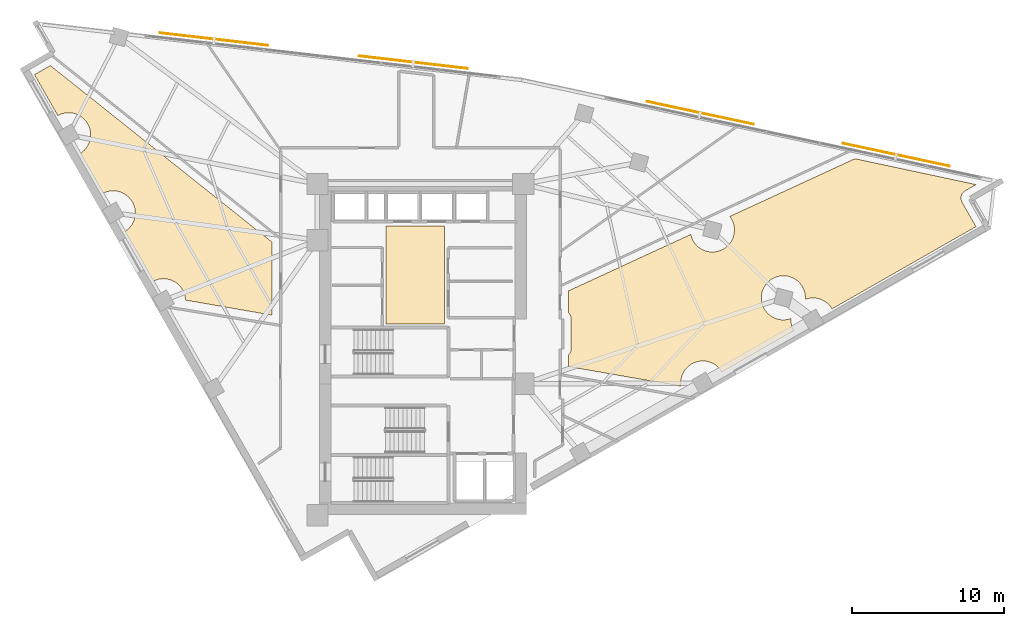
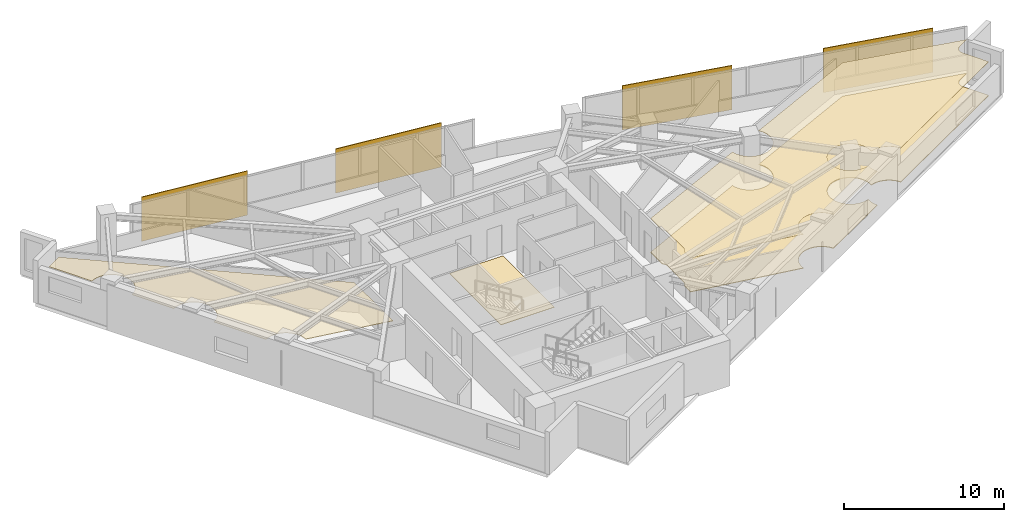
# One storey, part 14 of 14: 4 coverings, 4 shading devices.
"""IFC4 building model written with IfcOpenShell, lengths in metres."""

from ifc_helpers import new_model, si_unit, direction, frame, origin, origin_2d, place, context, subcontext, project, spatial, polyline, rectangle, outline, extrude, material, layer, layer_set, type_object, element, save


model = new_model("IFC4")

# Units and contexts
model_context = context("Model", 3, precision=1e-05, world=origin(), true_north=direction((0.0, 1.0)))
body_context = subcontext(model_context, "Body", "Model", "MODEL_VIEW")
ifc_project = project(units=[si_unit("LENGTHUNIT", "METRE"), si_unit("AREAUNIT", "SQUARE_METRE"), si_unit("VOLUMEUNIT", "CUBIC_METRE"), si_unit("PLANEANGLEUNIT", "RADIAN"), si_unit("MASSUNIT", "GRAM", prefix="KILO")], contexts=[model_context])

# Site, building, storey
site_placement = place(None, origin())
site = spatial("IfcSite", under=ifc_project, at=site_placement, CompositionType="ELEMENT")
building_placement = place(site_placement, origin())
building = spatial("IfcBuilding", under=site, at=building_placement, Name="Narakoshi Arena Tower", CompositionType="ELEMENT")
storey_placement = place(building_placement, frame((0.0, 0.0, 207.93994140625)))
storey = spatial("IfcBuildingStorey", under=building, at=storey_placement, Name="L56", CompositionType="ELEMENT", Elevation=207.93994140625)

# Coverings
ifc_material_1 = material(Name="Acoustic mineral-fibre ceiling tile")
ifc_layer_1 = layer(ifc_material_1, 0.02001953125)
ifc_layer_set_1 = layer_set([ifc_layer_1], Name="Acoustic mineral-fibre ceiling tile")
covering_type_1 = type_object("IfcCoveringType", Name="COV-CLG-AC20", PredefinedType="CEILING", material=ifc_layer_set_1)
covering_1_placement = place(storey_placement, frame((0.0, 0.0, 2.590087890625)))
element("IfcCovering", 1, at=covering_1_placement, inside=storey, type_object=covering_type_1, Name="L56 Suspended Acoustic Ceiling 1", PredefinedType="CEILING", context=body_context, shape_type="SweptSolid", body=[
    extrude(outline(polyline([(88.538818359375, 45.260986328125), (88.5751953125, 45.301025390625), (88.607421875, 45.344482421875), (88.635009765625, 45.390625), (88.658203125, 45.439453125), (88.67626953125, 45.490234375), (88.689453125, 45.542724609375), (88.697509765625, 45.59619140625), (88.699951171875, 45.64990234375), (88.699951171875, 47.6201171875), (88.697509765625, 47.673828125), (88.689453125, 47.727294921875), (88.67626953125, 47.77978515625), (88.658203125, 47.83056640625), (88.635009765625, 47.87939453125), (88.607421875, 47.925537109375), (88.5751953125, 47.968994140625), (88.538818359375, 48.0087890625), (88.5263671875, 48.020263671875), (88.5263671875, 49.468017578125), (96.578125, 53.1826171875), (96.6103515625, 53.05419921875), (96.658203125, 52.92041015625), (96.718994140625, 52.791748046875), (96.792236328125, 52.669677734375), (96.876953125, 52.555419921875), (96.97265625, 52.449951171875), (97.077880859375, 52.354248046875), (97.1923828125, 52.26953125), (97.314453125, 52.1962890625), (97.443115234375, 52.135498046875), (97.576904296875, 52.087646484375), (97.715087890625, 52.052978515625), (97.855712890625, 52.0322265625), (97.997802734375, 52.025146484375), (98.139892578125, 52.0322265625), (98.28076171875, 52.052978515625), (98.418701171875, 52.087646484375), (98.552734375, 52.135498046875), (98.681396484375, 52.1962890625), (98.803466796875, 52.26953125), (98.917724609375, 52.354248046875), (99.023193359375, 52.449951171875), (99.118896484375, 52.555419921875), (99.20361328125, 52.669677734375), (99.276611328125, 52.791748046875), (99.33740234375, 52.92041015625), (99.385498046875, 53.05419921875), (99.419921875, 53.1923828125), (99.44091796875, 53.3330078125), (99.447998046875, 53.47509765625), (99.44091796875, 53.6171875), (99.419921875, 53.758056640625), (99.385498046875, 53.89599609375), (99.33740234375, 54.030029296875), (99.276611328125, 54.15869140625), (99.20361328125, 54.28076171875), (99.14111328125, 54.364990234375), (107.381591796875, 58.16650390625), (115.35791015625, 56.462890625), (114.636962890625, 56.05078125), (114.591552734375, 56.021728515625), (114.549072265625, 55.98828125), (114.510009765625, 55.950927734375), (114.47509765625, 55.909912109375), (114.444091796875, 55.86572265625), (114.417724609375, 55.818603515625), (114.39599609375, 55.769287109375), (114.37939453125, 55.718017578125), (114.36767578125, 55.665283203125), (114.361083984375, 55.61181640625), (114.360107421875, 55.5576171875), (114.3642578125, 55.50390625), (114.373779296875, 55.45068359375), (114.38818359375, 55.398681640625), (114.407958984375, 55.348388671875), (114.432373046875, 55.30029296875), (115.35009765625, 53.694580078125), (105.872314453125, 48.27734375), (105.825439453125, 48.355712890625), (105.74072265625, 48.469970703125), (105.64501953125, 48.5751953125), (105.539794921875, 48.6708984375), (105.42529296875, 48.755615234375), (105.30322265625, 48.828857421875), (105.1748046875, 48.8896484375), (105.040771484375, 48.9375), (104.902587890625, 48.97216796875), (104.761962890625, 48.992919921875), (104.619873046875, 49.0), (104.477783203125, 48.992919921875), (104.3369140625, 48.97216796875), (104.198974609375, 48.9375), (104.11376953125, 48.906982421875), (104.118896484375, 49.009521484375), (104.11181640625, 49.151611328125), (104.0908203125, 49.29248046875), (104.056396484375, 49.430419921875), (104.00830078125, 49.564453125), (103.947509765625, 49.693115234375), (103.87451171875, 49.815185546875), (103.789794921875, 49.929443359375), (103.694091796875, 50.034912109375), (103.588623046875, 50.13037109375), (103.474365234375, 50.215087890625), (103.352294921875, 50.288330078125), (103.2236328125, 50.34912109375), (103.089599609375, 50.397216796875), (102.95166015625, 50.431640625), (102.810791015625, 50.452392578125), (102.668701171875, 50.45947265625), (102.526611328125, 50.452392578125), (102.385986328125, 50.431640625), (102.247802734375, 50.397216796875), (102.114013671875, 50.34912109375), (101.9853515625, 50.288330078125), (101.86328125, 50.215087890625), (101.748779296875, 50.13037109375), (101.6435546875, 50.034912109375), (101.5478515625, 49.929443359375), (101.463134765625, 49.815185546875), (101.389892578125, 49.693115234375), (101.3291015625, 49.564453125), (101.28125, 49.430419921875), (101.24658203125, 49.29248046875), (101.225830078125, 49.151611328125), (101.21875, 49.009521484375), (101.225830078125, 48.867431640625), (101.24658203125, 48.7265625), (101.28125, 48.588623046875), (101.3291015625, 48.45458984375), (101.389892578125, 48.325927734375), (101.463134765625, 48.203857421875), (101.5478515625, 48.089599609375), (101.6435546875, 47.984130859375), (101.748779296875, 47.888671875), (101.86328125, 47.803955078125), (101.9853515625, 47.730712890625), (102.114013671875, 47.669921875), (102.247802734375, 47.621826171875), (102.385986328125, 47.58740234375), (102.526611328125, 47.56640625), (102.668701171875, 47.5595703125), (102.810791015625, 47.56640625), (102.95166015625, 47.58740234375), (103.089599609375, 47.621826171875), (103.1748046875, 47.65234375), (103.169921875, 47.550048828125), (103.1767578125, 47.407958984375), (103.19775390625, 47.26708984375), (103.232177734375, 47.129150390625), (103.2802734375, 46.9951171875), (103.341064453125, 46.866455078125), (103.35693359375, 46.83984375), (98.619384765625, 44.132080078125), (98.572509765625, 44.210205078125), (98.48779296875, 44.324462890625), (98.39208984375, 44.429931640625), (98.286865234375, 44.525390625), (98.172607421875, 44.610107421875), (98.05029296875, 44.683349609375), (97.921875, 44.744140625), (97.787841796875, 44.792236328125), (97.64990234375, 44.82666015625), (97.509033203125, 44.84765625), (97.366943359375, 44.8544921875), (97.224853515625, 44.84765625), (97.083984375, 44.82666015625), (96.946044921875, 44.792236328125), (96.81201171875, 44.744140625), (96.683349609375, 44.683349609375), (96.561279296875, 44.610107421875), (96.447021484375, 44.525390625), (96.341552734375, 44.429931640625), (96.24609375, 44.324462890625), (96.161376953125, 44.210205078125), (96.088134765625, 44.088134765625), (96.02734375, 43.95947265625), (95.979248046875, 43.825439453125), (95.94482421875, 43.6875), (95.923828125, 43.546630859375), (95.9169921875, 43.404541015625), (95.923828125, 43.262451171875), (95.933837890625, 43.195556640625), (88.5263671875, 44.481689453125), (88.5263671875, 45.249755859375), (88.538818359375, 45.260986328125)])), origin(), (0.0, 0.0, 1.0), 0.02001953125),
])
ifc_material_2 = material(Name="Slatted oak acoustic timber baffle", Category="wood")
ifc_layer_2 = layer(ifc_material_2, 0.034912109375)
ifc_layer_set_2 = layer_set([ifc_layer_2], Name="Slatted oak acoustic timber baffle")
covering_type_2 = type_object("IfcCoveringType", Name="COV-CLG-WD35", PredefinedType="CEILING", material=ifc_layer_set_2)
covering_2_placement = place(storey_placement, frame((0.0, 0.0, 2.574951171875)))
element("IfcCovering", 2, at=covering_2_placement, inside=storey, type_object=covering_type_2, Name="L56 Suspended Acoustic Ceiling 2", PredefinedType="CEILING", context=body_context, shape_type="SweptSolid", body=[
    extrude(outline(polyline([(69.023681640625, 52.66796875), (69.023681640625, 47.867919921875), (63.316162109375, 48.85888671875), (63.31103515625, 48.9599609375), (63.290283203125, 49.100830078125), (63.255615234375, 49.23876953125), (63.207763671875, 49.372802734375), (63.14697265625, 49.50146484375), (63.07373046875, 49.62353515625), (62.989013671875, 49.73779296875), (62.893310546875, 49.84326171875), (62.7880859375, 49.938720703125), (62.673583984375, 50.0234375), (62.551513671875, 50.0966796875), (62.423095703125, 50.157470703125), (62.2890625, 50.20556640625), (62.15087890625, 50.239990234375), (62.01025390625, 50.260986328125), (61.8681640625, 50.267822265625), (61.72607421875, 50.260986328125), (61.585205078125, 50.239990234375), (61.447265625, 50.20556640625), (61.313232421875, 50.157470703125), (61.1845703125, 50.0966796875), (61.15771484375, 50.080810546875), (59.2900390625, 53.348388671875), (59.368408203125, 53.3955078125), (59.482666015625, 53.47998046875), (59.588134765625, 53.57568359375), (59.68359375, 53.68115234375), (59.768310546875, 53.79541015625), (59.841552734375, 53.91748046875), (59.90234375, 54.046142578125), (59.950439453125, 54.18017578125), (59.98486328125, 54.318115234375), (60.005859375, 54.458984375), (60.0126953125, 54.60107421875), (60.005859375, 54.7431640625), (59.98486328125, 54.8837890625), (59.950439453125, 55.02197265625), (59.90234375, 55.156005859375), (59.841552734375, 55.284423828125), (59.768310546875, 55.406494140625), (59.68359375, 55.52099609375), (59.588134765625, 55.626220703125), (59.482666015625, 55.721923828125), (59.368408203125, 55.806640625), (59.246337890625, 55.8798828125), (59.11767578125, 55.940673828125), (58.983642578125, 55.988525390625), (58.845703125, 56.023193359375), (58.704833984375, 56.0439453125), (58.562744140625, 56.051025390625), (58.420654296875, 56.0439453125), (58.27978515625, 56.023193359375), (58.141845703125, 55.988525390625), (58.0078125, 55.940673828125), (57.87939453125, 55.8798828125), (57.8525390625, 55.86376953125), (56.35205078125, 58.489013671875), (56.430419921875, 58.535888671875), (56.544677734375, 58.62060546875), (56.64990234375, 58.71630859375), (56.74560546875, 58.82177734375), (56.830322265625, 58.93603515625), (56.903564453125, 59.05810546875), (56.96435546875, 59.186767578125), (57.01220703125, 59.32080078125), (57.046875, 59.458740234375), (57.067626953125, 59.599609375), (57.07470703125, 59.74169921875), (57.067626953125, 59.8837890625), (57.046875, 60.0244140625), (57.01220703125, 60.16259765625), (56.96435546875, 60.29638671875), (56.903564453125, 60.425048828125), (56.830322265625, 60.547119140625), (56.74560546875, 60.66162109375), (56.64990234375, 60.766845703125), (56.544677734375, 60.862548828125), (56.430419921875, 60.947265625), (56.30810546875, 61.0205078125), (56.1796875, 61.081298828125), (56.045654296875, 61.129150390625), (55.90771484375, 61.163818359375), (55.766845703125, 61.1845703125), (55.624755859375, 61.191650390625), (55.482666015625, 61.1845703125), (55.341796875, 61.163818359375), (55.203857421875, 61.129150390625), (55.06982421875, 61.081298828125), (54.941162109375, 61.0205078125), (54.91455078125, 61.00439453125), (53.375244140625, 63.697509765625), (54.423095703125, 64.29638671875), (69.023681640625, 52.66796875)])), origin(), (0.0, 0.0, 1.0), 0.03515625),
])
ifc_material_3 = material(Name="Raised steel access floor panel", Category="steel")
ifc_layer_3 = layer(ifc_material_3, 0.044921875)
ifc_layer_set_3 = layer_set([ifc_layer_3], Name="Raised steel access floor panel")
covering_type_3 = type_object("IfcCoveringType", Name="COV-FLR-RF45", PredefinedType="FLOORING", material=ifc_layer_set_3)
covering_3_placement = place(storey_placement, origin())
element("IfcCovering", 3, at=covering_3_placement, inside=storey, type_object=covering_type_3, Name="L56 Raised Steel Access Floor", PredefinedType="FLOORING", context=body_context, shape_type="SweptSolid", body=[
    extrude(outline(polyline([(88.538818359375, 45.260986328125), (88.5751953125, 45.301025390625), (88.607421875, 45.344482421875), (88.635009765625, 45.390625), (88.658203125, 45.439453125), (88.67626953125, 45.490234375), (88.689453125, 45.542724609375), (88.697509765625, 45.59619140625), (88.699951171875, 45.64990234375), (88.699951171875, 47.6201171875), (88.697509765625, 47.673828125), (88.689453125, 47.727294921875), (88.67626953125, 47.77978515625), (88.658203125, 47.83056640625), (88.635009765625, 47.87939453125), (88.607421875, 47.925537109375), (88.5751953125, 47.968994140625), (88.538818359375, 48.0087890625), (88.5263671875, 48.020263671875), (88.5263671875, 49.468017578125), (96.578125, 53.1826171875), (96.6103515625, 53.05419921875), (96.658203125, 52.92041015625), (96.718994140625, 52.791748046875), (96.792236328125, 52.669677734375), (96.876953125, 52.555419921875), (96.97265625, 52.449951171875), (97.077880859375, 52.354248046875), (97.1923828125, 52.26953125), (97.314453125, 52.1962890625), (97.443115234375, 52.135498046875), (97.576904296875, 52.087646484375), (97.715087890625, 52.052978515625), (97.855712890625, 52.0322265625), (97.997802734375, 52.025146484375), (98.139892578125, 52.0322265625), (98.28076171875, 52.052978515625), (98.418701171875, 52.087646484375), (98.552734375, 52.135498046875), (98.681396484375, 52.1962890625), (98.803466796875, 52.26953125), (98.917724609375, 52.354248046875), (99.023193359375, 52.449951171875), (99.118896484375, 52.555419921875), (99.20361328125, 52.669677734375), (99.276611328125, 52.791748046875), (99.33740234375, 52.92041015625), (99.385498046875, 53.05419921875), (99.419921875, 53.1923828125), (99.44091796875, 53.3330078125), (99.447998046875, 53.47509765625), (99.44091796875, 53.6171875), (99.419921875, 53.758056640625), (99.385498046875, 53.89599609375), (99.33740234375, 54.030029296875), (99.276611328125, 54.15869140625), (99.20361328125, 54.28076171875), (99.14111328125, 54.364990234375), (107.381591796875, 58.16650390625), (115.35791015625, 56.462890625), (114.636962890625, 56.05078125), (114.591552734375, 56.021728515625), (114.549072265625, 55.98828125), (114.510009765625, 55.950927734375), (114.47509765625, 55.909912109375), (114.444091796875, 55.86572265625), (114.417724609375, 55.818603515625), (114.39599609375, 55.769287109375), (114.37939453125, 55.718017578125), (114.36767578125, 55.665283203125), (114.361083984375, 55.61181640625), (114.360107421875, 55.5576171875), (114.3642578125, 55.50390625), (114.373779296875, 55.45068359375), (114.38818359375, 55.398681640625), (114.407958984375, 55.348388671875), (114.432373046875, 55.30029296875), (115.35009765625, 53.694580078125), (105.872314453125, 48.27734375), (105.825439453125, 48.355712890625), (105.74072265625, 48.469970703125), (105.64501953125, 48.5751953125), (105.539794921875, 48.6708984375), (105.42529296875, 48.755615234375), (105.30322265625, 48.828857421875), (105.1748046875, 48.8896484375), (105.040771484375, 48.9375), (104.902587890625, 48.97216796875), (104.761962890625, 48.992919921875), (104.619873046875, 49.0), (104.477783203125, 48.992919921875), (104.3369140625, 48.97216796875), (104.198974609375, 48.9375), (104.11376953125, 48.906982421875), (104.118896484375, 49.009521484375), (104.11181640625, 49.151611328125), (104.0908203125, 49.29248046875), (104.056396484375, 49.430419921875), (104.00830078125, 49.564453125), (103.947509765625, 49.693115234375), (103.87451171875, 49.815185546875), (103.789794921875, 49.929443359375), (103.694091796875, 50.034912109375), (103.588623046875, 50.13037109375), (103.474365234375, 50.215087890625), (103.352294921875, 50.288330078125), (103.2236328125, 50.34912109375), (103.089599609375, 50.397216796875), (102.95166015625, 50.431640625), (102.810791015625, 50.452392578125), (102.668701171875, 50.45947265625), (102.526611328125, 50.452392578125), (102.385986328125, 50.431640625), (102.247802734375, 50.397216796875), (102.114013671875, 50.34912109375), (101.9853515625, 50.288330078125), (101.86328125, 50.215087890625), (101.748779296875, 50.13037109375), (101.6435546875, 50.034912109375), (101.5478515625, 49.929443359375), (101.463134765625, 49.815185546875), (101.389892578125, 49.693115234375), (101.3291015625, 49.564453125), (101.28125, 49.430419921875), (101.24658203125, 49.29248046875), (101.225830078125, 49.151611328125), (101.21875, 49.009521484375), (101.225830078125, 48.867431640625), (101.24658203125, 48.7265625), (101.28125, 48.588623046875), (101.3291015625, 48.45458984375), (101.389892578125, 48.325927734375), (101.463134765625, 48.203857421875), (101.5478515625, 48.089599609375), (101.6435546875, 47.984130859375), (101.748779296875, 47.888671875), (101.86328125, 47.803955078125), (101.9853515625, 47.730712890625), (102.114013671875, 47.669921875), (102.247802734375, 47.621826171875), (102.385986328125, 47.58740234375), (102.526611328125, 47.56640625), (102.668701171875, 47.5595703125), (102.810791015625, 47.56640625), (102.95166015625, 47.58740234375), (103.089599609375, 47.621826171875), (103.1748046875, 47.65234375), (103.169921875, 47.550048828125), (103.1767578125, 47.407958984375), (103.19775390625, 47.26708984375), (103.232177734375, 47.129150390625), (103.2802734375, 46.9951171875), (103.341064453125, 46.866455078125), (103.35693359375, 46.83984375), (98.619384765625, 44.132080078125), (98.572509765625, 44.210205078125), (98.48779296875, 44.324462890625), (98.39208984375, 44.429931640625), (98.286865234375, 44.525390625), (98.172607421875, 44.610107421875), (98.05029296875, 44.683349609375), (97.921875, 44.744140625), (97.787841796875, 44.792236328125), (97.64990234375, 44.82666015625), (97.509033203125, 44.84765625), (97.366943359375, 44.8544921875), (97.224853515625, 44.84765625), (97.083984375, 44.82666015625), (96.946044921875, 44.792236328125), (96.81201171875, 44.744140625), (96.683349609375, 44.683349609375), (96.561279296875, 44.610107421875), (96.447021484375, 44.525390625), (96.341552734375, 44.429931640625), (96.24609375, 44.324462890625), (96.161376953125, 44.210205078125), (96.088134765625, 44.088134765625), (96.02734375, 43.95947265625), (95.979248046875, 43.825439453125), (95.94482421875, 43.6875), (95.923828125, 43.546630859375), (95.9169921875, 43.404541015625), (95.923828125, 43.262451171875), (95.933837890625, 43.195556640625), (88.5263671875, 44.481689453125), (88.5263671875, 45.249755859375), (88.538818359375, 45.260986328125)])), origin(), (0.0, 0.0, 1.0), 0.045166015625),
])
ifc_material_4 = material(Name="Honed granite stone paving", Category="masonry")
ifc_layer_4 = layer(ifc_material_4, 0.030029296875)
ifc_layer_set_4 = layer_set([ifc_layer_4], Name="Honed granite stone paving")
covering_type_4 = type_object("IfcCoveringType", Name="COV-FLR-ST30", PredefinedType="FLOORING", material=ifc_layer_set_4)
covering_4_placement = place(storey_placement, origin())
element("IfcCovering", 4, at=covering_4_placement, inside=storey, type_object=covering_type_4, Name="L56 Lift Lobby Granite Flooring", PredefinedType="FLOORING", context=body_context, shape_type="SweptSolid", body=[
    extrude(outline(polyline([(76.5, 47.300048828125), (80.35009765625, 47.300048828125), (80.35009765625, 53.75), (76.5, 53.75), (76.5, 47.300048828125)])), origin(), (0.0, 0.0, 1.0), 0.030029296875),
])

# Shading devices
ifc_material_5 = material(Name="Perforated bronze ceramic-metal composite")
ifc_layer_5 = layer(ifc_material_5, 0.06005859375)
ifc_layer_set_5 = layer_set([ifc_layer_5], Name="Perforated bronze ceramic-metal composite")
shading_device_type = type_object("IfcShadingDeviceType", Name="SHD-SCR-BRZ2", PredefinedType="USERDEFINED", material=ifc_layer_set_5)
for number, where, z_axis, x_axis, name in (
    (5, (110.10107421875, 58.42431640625, 0.0), (0.0, 0.0, 1.0), (-0.977936632473, 0.208901754101, 0.0), "L56 Perforated Bronze Solar Screen 1-1"),
    (6, (97.1923828125, 61.181640625, 0.0), (0.0, 0.0, 1.0), (-0.977936632473, 0.208901754101, 0.0), "L56 Perforated Bronze Solar Screen 1-2"),
    (7, (78.312255859375, 64.513916015625, 0.0), (0.0, 0.0, 1.0), (-0.993364739053, 0.115006500715, 0.0), "L56 Perforated Bronze Solar Screen 2-1"),
    (8, (65.199951171875, 66.031982421875, 0.0), (0.0, 0.0, 1.0), (-0.993364739053, 0.115006500715, 0.0), "L56 Perforated Bronze Solar Screen 2-2"),
):
    element("IfcShadingDevice", number, at=place(storey_placement, frame(where, z_axis=z_axis, x_axis=x_axis)), inside=storey, type_object=shading_device_type, Name=name, ObjectType="SOLAR SCREEN", PredefinedType="USERDEFINED", context=body_context, shape_type="SweptSolid", body=[
        extrude(rectangle(XDim=7.199951171875, YDim=0.06005859375, at=origin_2d()), origin(), (0.0, 0.0, 1.0), 3.3701171875),
    ])

save(model, "model.ifc")
